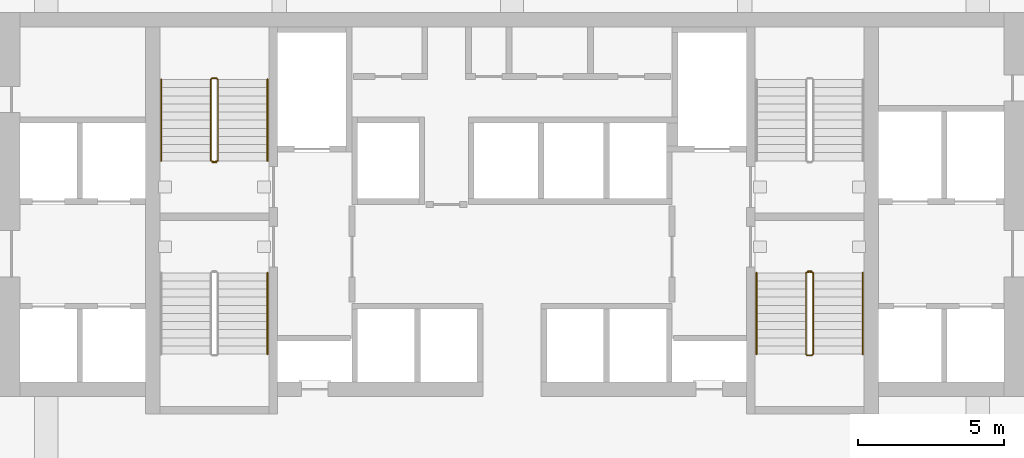
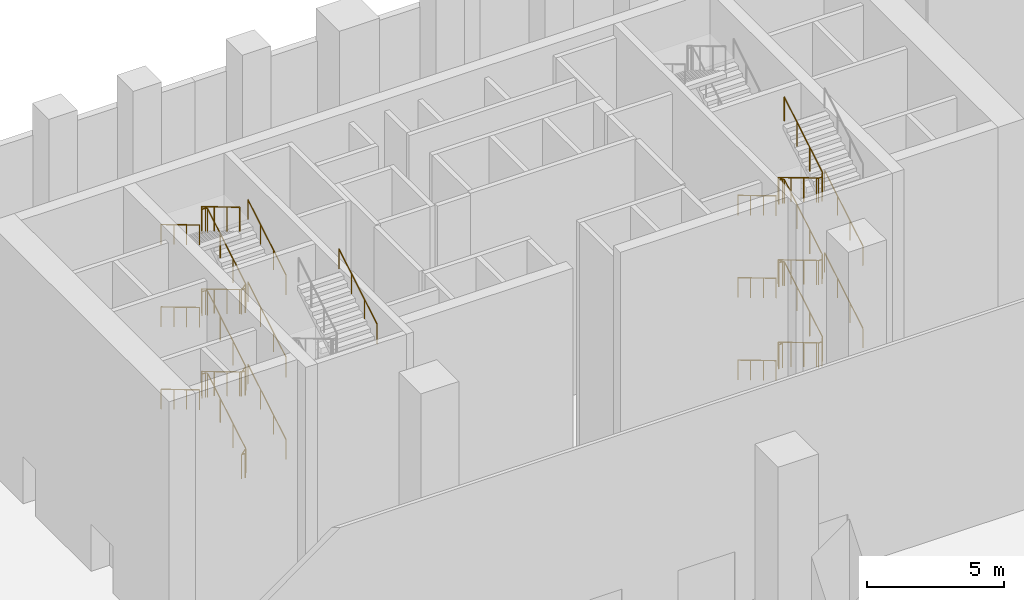
# One storey, part 25 of 31: 14 railings.
"""IFC4 building model written with IfcOpenShell, lengths in metres."""

from ifc_helpers import new_model, si_unit, direction, frame, origin, origin_2d, place, context, subcontext, project, spatial, circle, extrude, material, type_object, element, save


model = new_model("IFC4")

# Units and contexts
model_context = context("Model", 3, precision=1e-05, world=origin(), true_north=direction((0.0, 1.0)))
body_context = subcontext(model_context, "Body", "Model", "MODEL_VIEW")
ifc_project = project(units=[si_unit("LENGTHUNIT", "METRE"), si_unit("AREAUNIT", "SQUARE_METRE"), si_unit("VOLUMEUNIT", "CUBIC_METRE"), si_unit("PLANEANGLEUNIT", "RADIAN"), si_unit("MASSUNIT", "GRAM", prefix="KILO")], contexts=[model_context])

# Site, building, storey
site_placement = place(None, origin())
site = spatial("IfcSite", under=ifc_project, at=site_placement, CompositionType="ELEMENT")
building_placement = place(site_placement, origin())
building = spatial("IfcBuilding", under=site, at=building_placement, Name="Calabash Gate Tower", CompositionType="ELEMENT")
storey_placement = place(building_placement, frame((0.0, 0.0, 9.0)))
storey = spatial("IfcBuildingStorey", under=building, at=storey_placement, Name="L01", CompositionType="ELEMENT", Elevation=9.0)

# Railings
ifc_material_1 = material(Name="Black powder-coated steel balusters", Category="steel")
railing_type_1 = type_object("IfcRailingType", Name="Stair guard RL1100", PredefinedType="GUARDRAIL", material=ifc_material_1)
railing_1_placement = place(storey_placement, frame((-10.14990234375, 13.902587890625, 0.0)))
element("IfcRailing", 1, at=railing_1_placement, inside=storey, type_object=railing_type_1, Name="L01 ST1 stair guard 1", PredefinedType="GUARDRAIL", context=body_context, shape_type="SweptSolid", body=[
    extrude(circle(Radius=0.02392578125, at=origin_2d()), frame((0.0, 0.0, 1.076171875), z_axis=(-1.0, 0.0, 0.0), x_axis=(0.0, -1.0, 0.0)), (0.0, 0.0, 1.0), 0.150146484375),
    extrude(circle(Radius=0.02392578125, at=origin_2d()), frame((-0.150146484375, 0.0, 1.076171875), z_axis=(0.754182335027, 0.188775798145, 0.628945707965), x_axis=(-0.242814311512, 0.970072785993, 0.0)), (0.0, 0.0, 1.0), 0.26513671875),
    extrude(circle(Radius=0.02392578125, at=origin_2d()), frame((0.0498046875, 0.050048828125, 1.24267578125), z_axis=(0.0, 0.858512034531, 0.512793415095), x_axis=(-1.0, 0.0, 0.0)), (0.0, 0.0, 1.0), 3.249755859375),
    extrude(circle(Radius=0.02392578125, at=origin_2d()), frame((0.0498046875, 2.840087890625, 2.9091796875), z_axis=(-0.707106781187, 0.707106781187, 0.0), x_axis=(-0.707106781187, -0.707106781187, 0.0)), (0.0, 0.0, 1.0), 0.0703125),
    extrude(circle(Radius=0.02392578125, at=origin_2d()), frame((0.0, 2.889892578125, 2.9091796875), z_axis=(-1.0, 0.0, 0.0), x_axis=(0.0, -1.0, 0.0)), (0.0, 0.0, 1.0), 0.150146484375),
    extrude(circle(Radius=0.02392578125, at=origin_2d()), frame((-0.150146484375, 2.889892578125, 2.9091796875), z_axis=(-0.276389281352, -0.275041040955, 0.920848191041), x_axis=(0.705375805398, -0.708833529934, 0.0)), (0.0, 0.0, 1.0), 0.18115234375),
    extrude(circle(Radius=0.02392578125, at=origin_2d()), frame((-0.2001953125, 2.840087890625, 3.076171875), z_axis=(0.0, -0.858478961675, 0.512848781183), x_axis=(1.0, 0.0, 0.0)), (0.0, 0.0, 1.0), 3.25),
    extrude(circle(Radius=0.02392578125, at=origin_2d()), frame((-0.2001953125, 0.050048828125, 4.74267578125), z_axis=(0.970142500145, -0.242535625036, 0.0), x_axis=(0.242535625036, 0.970142500145, 0.0)), (0.0, 0.0, 1.0), 0.206298828125),
    extrude(circle(Radius=0.02392578125, at=origin_2d()), frame((0.0, 0.0, 4.74267578125), z_axis=(-1.0, 0.0, 0.0), x_axis=(0.0, -1.0, 0.0)), (0.0, 0.0, 1.0), 0.150146484375),
    extrude(circle(Radius=0.02392578125, at=origin_2d()), frame((-0.150146484375, 0.0, 4.74267578125), z_axis=(0.754619193878, 0.188885146209, 0.628388632753), x_axis=(-0.242814311512, 0.970072785993, 0.0)), (0.0, 0.0, 1.0), 0.264892578125),
    extrude(circle(Radius=0.02392578125, at=origin_2d()), frame((0.0498046875, 0.050048828125, 4.9091796875), z_axis=(0.0, 0.858478961675, 0.512848781183), x_axis=(-1.0, 0.0, 0.0)), (0.0, 0.0, 1.0), 3.25),
    extrude(circle(Radius=0.02392578125, at=origin_2d()), frame((0.0498046875, 2.840087890625, 6.576171875), z_axis=(-0.707106781187, 0.707106781187, 0.0), x_axis=(-0.707106781187, -0.707106781187, 0.0)), (0.0, 0.0, 1.0), 0.0703125),
    extrude(circle(Radius=0.02392578125, at=origin_2d()), frame((0.0, 2.889892578125, 6.576171875), z_axis=(-1.0, 0.0, 0.0), x_axis=(0.0, -1.0, 0.0)), (0.0, 0.0, 1.0), 0.150146484375),
    extrude(circle(Radius=0.02392578125, at=origin_2d()), frame((-0.150146484375, 2.889892578125, 6.576171875), z_axis=(-0.276389281352, -0.275041040955, 0.920848191041), x_axis=(0.705375805398, -0.708833529934, 0.0)), (0.0, 0.0, 1.0), 0.18115234375),
    extrude(circle(Radius=0.02392578125, at=origin_2d()), frame((-0.2001953125, 2.840087890625, 6.74267578125), z_axis=(0.0, -0.858512034531, 0.512793415095), x_axis=(1.0, 0.0, 0.0)), (0.0, 0.0, 1.0), 3.249755859375),
    extrude(circle(Radius=0.02392578125, at=origin_2d()), frame((-0.2001953125, 0.050048828125, 8.4091796875), z_axis=(0.970142500145, -0.242535625036, 0.0), x_axis=(0.242535625036, 0.970142500145, 0.0)), (0.0, 0.0, 1.0), 0.206298828125),
    extrude(circle(Radius=0.02392578125, at=origin_2d()), frame((0.0, 0.0, 8.4091796875), z_axis=(-1.0, 0.0, 0.0), x_axis=(0.0, -1.0, 0.0)), (0.0, 0.0, 1.0), 0.150146484375),
    extrude(circle(Radius=0.02392578125, at=origin_2d()), frame((-0.150146484375, 0.0, 8.4091796875), z_axis=(0.754182335027, 0.188775798145, 0.628945707965), x_axis=(-0.242814311512, 0.970072785993, 0.0)), (0.0, 0.0, 1.0), 0.26513671875),
    extrude(circle(Radius=0.02392578125, at=origin_2d()), frame((0.0498046875, 0.050048828125, 8.576171875), z_axis=(0.0, 0.858478961675, 0.512848781183), x_axis=(-1.0, 0.0, 0.0)), (0.0, 0.0, 1.0), 3.25),
    extrude(circle(Radius=0.02392578125, at=origin_2d()), frame((0.0498046875, 2.840087890625, 10.24267578125), z_axis=(-0.707106781187, 0.707106781187, 0.0), x_axis=(-0.707106781187, -0.707106781187, 0.0)), (0.0, 0.0, 1.0), 0.0703125),
    extrude(circle(Radius=0.02392578125, at=origin_2d()), frame((0.0, 2.889892578125, 10.24267578125), z_axis=(-1.0, 0.0, 0.0), x_axis=(0.0, -1.0, 0.0)), (0.0, 0.0, 1.0), 0.150146484375),
    extrude(circle(Radius=0.02392578125, at=origin_2d()), frame((-0.150146484375, 2.889892578125, 10.24267578125), z_axis=(-0.276732813696, -0.275382897532, 0.920642824102), x_axis=(0.705375805398, -0.708833529934, 0.0)), (0.0, 0.0, 1.0), 0.180908203125),
    extrude(circle(Radius=0.02392578125, at=origin_2d()), frame((-0.2001953125, 2.840087890625, 10.4091796875), z_axis=(0.0, -0.858478961675, 0.512848781183), x_axis=(1.0, 0.0, 0.0)), (0.0, 0.0, 1.0), 3.25),
    extrude(circle(Radius=0.02099609375, at=origin_2d()), origin(), (0.0, 0.0, 1.0), 1.052001953125),
    extrude(circle(Radius=0.02099609375, at=origin_2d()), frame((-0.150146484375, 0.0, 0.0)), (0.0, 0.0, 1.0), 1.052001953125),
    extrude(circle(Radius=0.02099609375, at=origin_2d()), frame((0.0498046875, 0.050048828125, 0.166748046875)), (0.0, 0.0, 1.0), 1.052001953125),
    extrude(circle(Radius=0.02099609375, at=origin_2d()), frame((0.0498046875, 0.97998046875, 0.72216796875)), (0.0, 0.0, 1.0), 1.052001953125),
    extrude(circle(Radius=0.02099609375, at=origin_2d()), frame((0.0498046875, 1.91015625, 1.27783203125)), (0.0, 0.0, 1.0), 1.052001953125),
    extrude(circle(Radius=0.02099609375, at=origin_2d()), frame((0.0498046875, 2.840087890625, 1.833251953125)), (0.0, 0.0, 1.0), 1.052001953125),
    extrude(circle(Radius=0.02099609375, at=origin_2d()), frame((0.0, 2.889892578125, 1.833251953125)), (0.0, 0.0, 1.0), 1.052001953125),
    extrude(circle(Radius=0.02099609375, at=origin_2d()), frame((-0.150146484375, 2.889892578125, 1.833251953125)), (0.0, 0.0, 1.0), 1.052001953125),
    extrude(circle(Radius=0.02099609375, at=origin_2d()), frame((-0.2001953125, 2.840087890625, 2.0)), (0.0, 0.0, 1.0), 1.052001953125),
    extrude(circle(Radius=0.02099609375, at=origin_2d()), frame((-0.2001953125, 1.91015625, 2.5556640625)), (0.0, 0.0, 1.0), 1.052001953125),
    extrude(circle(Radius=0.02099609375, at=origin_2d()), frame((-0.2001953125, 0.97998046875, 3.111083984375)), (0.0, 0.0, 1.0), 1.052001953125),
    extrude(circle(Radius=0.02099609375, at=origin_2d()), frame((-0.2001953125, 0.050048828125, 3.666748046875)), (0.0, 0.0, 1.0), 1.052001953125),
    extrude(circle(Radius=0.02099609375, at=origin_2d()), frame((0.0, 0.0, 3.666748046875)), (0.0, 0.0, 1.0), 1.052001953125),
    extrude(circle(Radius=0.02099609375, at=origin_2d()), frame((-0.150146484375, 0.0, 3.666748046875)), (0.0, 0.0, 1.0), 1.052001953125),
    extrude(circle(Radius=0.02099609375, at=origin_2d()), frame((0.0498046875, 0.050048828125, 3.833251953125)), (0.0, 0.0, 1.0), 1.052001953125),
    extrude(circle(Radius=0.02099609375, at=origin_2d()), frame((0.0498046875, 0.97998046875, 4.388916015625)), (0.0, 0.0, 1.0), 1.052001953125),
    extrude(circle(Radius=0.02099609375, at=origin_2d()), frame((0.0498046875, 1.91015625, 4.9443359375)), (0.0, 0.0, 1.0), 1.052001953125),
    extrude(circle(Radius=0.02099609375, at=origin_2d()), frame((0.0498046875, 2.840087890625, 5.5)), (0.0, 0.0, 1.0), 1.052001953125),
    extrude(circle(Radius=0.02099609375, at=origin_2d()), frame((0.0, 2.889892578125, 5.5)), (0.0, 0.0, 1.0), 1.052001953125),
    extrude(circle(Radius=0.02099609375, at=origin_2d()), frame((-0.150146484375, 2.889892578125, 5.5)), (0.0, 0.0, 1.0), 1.052001953125),
    extrude(circle(Radius=0.02099609375, at=origin_2d()), frame((-0.2001953125, 2.840087890625, 5.666748046875)), (0.0, 0.0, 1.0), 1.052001953125),
    extrude(circle(Radius=0.02099609375, at=origin_2d()), frame((-0.2001953125, 1.91015625, 6.22216796875)), (0.0, 0.0, 1.0), 1.052001953125),
    extrude(circle(Radius=0.02099609375, at=origin_2d()), frame((-0.2001953125, 0.97998046875, 6.77783203125)), (0.0, 0.0, 1.0), 1.052001953125),
    extrude(circle(Radius=0.02099609375, at=origin_2d()), frame((-0.2001953125, 0.050048828125, 7.333251953125)), (0.0, 0.0, 1.0), 1.052001953125),
    extrude(circle(Radius=0.02099609375, at=origin_2d()), frame((0.0, 0.0, 7.333251953125)), (0.0, 0.0, 1.0), 1.052001953125),
    extrude(circle(Radius=0.02099609375, at=origin_2d()), frame((-0.150146484375, 0.0, 7.333251953125)), (0.0, 0.0, 1.0), 1.052001953125),
    extrude(circle(Radius=0.02099609375, at=origin_2d()), frame((0.0498046875, 0.050048828125, 7.5)), (0.0, 0.0, 1.0), 1.052001953125),
    extrude(circle(Radius=0.02099609375, at=origin_2d()), frame((0.0498046875, 0.97998046875, 8.0556640625)), (0.0, 0.0, 1.0), 1.052001953125),
    extrude(circle(Radius=0.02099609375, at=origin_2d()), frame((0.0498046875, 1.91015625, 8.611083984375)), (0.0, 0.0, 1.0), 1.052001953125),
    extrude(circle(Radius=0.02099609375, at=origin_2d()), frame((0.0498046875, 2.840087890625, 9.166748046875)), (0.0, 0.0, 1.0), 1.052001953125),
    extrude(circle(Radius=0.02099609375, at=origin_2d()), frame((0.0, 2.889892578125, 9.166748046875)), (0.0, 0.0, 1.0), 1.052001953125),
    extrude(circle(Radius=0.02099609375, at=origin_2d()), frame((-0.150146484375, 2.889892578125, 9.166748046875)), (0.0, 0.0, 1.0), 1.052001953125),
    extrude(circle(Radius=0.02099609375, at=origin_2d()), frame((-0.2001953125, 2.840087890625, 9.333251953125)), (0.0, 0.0, 1.0), 1.052001953125),
    extrude(circle(Radius=0.02099609375, at=origin_2d()), frame((-0.2001953125, 1.91015625, 9.888916015625)), (0.0, 0.0, 1.0), 1.052001953125),
    extrude(circle(Radius=0.02099609375, at=origin_2d()), frame((-0.2001953125, 0.97998046875, 10.4443359375)), (0.0, 0.0, 1.0), 1.052001953125),
    extrude(circle(Radius=0.02099609375, at=origin_2d()), frame((-0.2001953125, 0.050048828125, 11.0)), (0.0, 0.0, 1.0), 1.052001953125),
])
railing_2_placement = place(storey_placement, frame((10.14990234375, 10.152587890625, 0.0)))
element("IfcRailing", 2, at=railing_2_placement, inside=storey, type_object=railing_type_1, Name="L01 ST4 stair guard 1", PredefinedType="GUARDRAIL", context=body_context, shape_type="SweptSolid", body=[
    extrude(circle(Radius=0.02392578125, at=origin_2d()), frame((0.0, 0.0, 1.076171875), z_axis=(1.0, 0.0, 0.0), x_axis=(0.0, 1.0, 0.0)), (0.0, 0.0, 1.0), 0.150146484375),
    extrude(circle(Radius=0.02392578125, at=origin_2d()), frame((0.150146484375, 0.0, 1.076171875), z_axis=(-0.754182335027, -0.188775798145, 0.628945707965), x_axis=(0.242814311512, -0.970072785993, 0.0)), (0.0, 0.0, 1.0), 0.26513671875),
    extrude(circle(Radius=0.02392578125, at=origin_2d()), frame((-0.0498046875, -0.050048828125, 1.24267578125), z_axis=(0.0, -0.858512034531, 0.512793415095), x_axis=(1.0, 0.0, 0.0)), (0.0, 0.0, 1.0), 3.249755859375),
    extrude(circle(Radius=0.02392578125, at=origin_2d()), frame((-0.0498046875, -2.840087890625, 2.9091796875), z_axis=(0.707106781187, -0.707106781187, 0.0), x_axis=(0.707106781187, 0.707106781187, 0.0)), (0.0, 0.0, 1.0), 0.0703125),
    extrude(circle(Radius=0.02392578125, at=origin_2d()), frame((0.0, -2.889892578125, 2.9091796875), z_axis=(1.0, 0.0, 0.0), x_axis=(0.0, 1.0, 0.0)), (0.0, 0.0, 1.0), 0.150146484375),
    extrude(circle(Radius=0.02392578125, at=origin_2d()), frame((0.150146484375, -2.889892578125, 2.9091796875), z_axis=(0.276389281352, 0.275041040955, 0.920848191041), x_axis=(-0.705375805398, 0.708833529934, 0.0)), (0.0, 0.0, 1.0), 0.18115234375),
    extrude(circle(Radius=0.02392578125, at=origin_2d()), frame((0.2001953125, -2.840087890625, 3.076171875), z_axis=(0.0, 0.858478961675, 0.512848781183), x_axis=(-1.0, 0.0, 0.0)), (0.0, 0.0, 1.0), 3.25),
    extrude(circle(Radius=0.02392578125, at=origin_2d()), frame((0.2001953125, -0.050048828125, 4.74267578125), z_axis=(-0.970142500145, 0.242535625036, 0.0), x_axis=(-0.242535625036, -0.970142500145, 0.0)), (0.0, 0.0, 1.0), 0.206298828125),
    extrude(circle(Radius=0.02392578125, at=origin_2d()), frame((0.0, 0.0, 4.74267578125), z_axis=(1.0, 0.0, 0.0), x_axis=(0.0, 1.0, 0.0)), (0.0, 0.0, 1.0), 0.150146484375),
    extrude(circle(Radius=0.02392578125, at=origin_2d()), frame((0.150146484375, 0.0, 4.74267578125), z_axis=(-0.754619193878, -0.188885146209, 0.628388632753), x_axis=(0.242814311512, -0.970072785993, 0.0)), (0.0, 0.0, 1.0), 0.264892578125),
    extrude(circle(Radius=0.02392578125, at=origin_2d()), frame((-0.0498046875, -0.050048828125, 4.9091796875), z_axis=(0.0, -0.858478961675, 0.512848781183), x_axis=(1.0, 0.0, 0.0)), (0.0, 0.0, 1.0), 3.25),
    extrude(circle(Radius=0.02392578125, at=origin_2d()), frame((-0.0498046875, -2.840087890625, 6.576171875), z_axis=(0.707106781187, -0.707106781187, 0.0), x_axis=(0.707106781187, 0.707106781187, 0.0)), (0.0, 0.0, 1.0), 0.0703125),
    extrude(circle(Radius=0.02392578125, at=origin_2d()), frame((0.0, -2.889892578125, 6.576171875), z_axis=(1.0, 0.0, 0.0), x_axis=(0.0, 1.0, 0.0)), (0.0, 0.0, 1.0), 0.150146484375),
    extrude(circle(Radius=0.02392578125, at=origin_2d()), frame((0.150146484375, -2.889892578125, 6.576171875), z_axis=(0.276389281352, 0.275041040955, 0.920848191041), x_axis=(-0.705375805398, 0.708833529934, 0.0)), (0.0, 0.0, 1.0), 0.18115234375),
    extrude(circle(Radius=0.02392578125, at=origin_2d()), frame((0.2001953125, -2.840087890625, 6.74267578125), z_axis=(0.0, 0.858512034531, 0.512793415095), x_axis=(-1.0, 0.0, 0.0)), (0.0, 0.0, 1.0), 3.249755859375),
    extrude(circle(Radius=0.02392578125, at=origin_2d()), frame((0.2001953125, -0.050048828125, 8.4091796875), z_axis=(-0.970142500145, 0.242535625036, 0.0), x_axis=(-0.242535625036, -0.970142500145, 0.0)), (0.0, 0.0, 1.0), 0.206298828125),
    extrude(circle(Radius=0.02392578125, at=origin_2d()), frame((0.0, 0.0, 8.4091796875), z_axis=(1.0, 0.0, 0.0), x_axis=(0.0, 1.0, 0.0)), (0.0, 0.0, 1.0), 0.150146484375),
    extrude(circle(Radius=0.02392578125, at=origin_2d()), frame((0.150146484375, 0.0, 8.4091796875), z_axis=(-0.754182335027, -0.188775798145, 0.628945707965), x_axis=(0.242814311512, -0.970072785993, 0.0)), (0.0, 0.0, 1.0), 0.26513671875),
    extrude(circle(Radius=0.02392578125, at=origin_2d()), frame((-0.0498046875, -0.050048828125, 8.576171875), z_axis=(0.0, -0.858478961675, 0.512848781183), x_axis=(1.0, 0.0, 0.0)), (0.0, 0.0, 1.0), 3.25),
    extrude(circle(Radius=0.02392578125, at=origin_2d()), frame((-0.0498046875, -2.840087890625, 10.24267578125), z_axis=(0.707106781187, -0.707106781187, 0.0), x_axis=(0.707106781187, 0.707106781187, 0.0)), (0.0, 0.0, 1.0), 0.0703125),
    extrude(circle(Radius=0.02392578125, at=origin_2d()), frame((0.0, -2.889892578125, 10.24267578125), z_axis=(1.0, 0.0, 0.0), x_axis=(0.0, 1.0, 0.0)), (0.0, 0.0, 1.0), 0.150146484375),
    extrude(circle(Radius=0.02392578125, at=origin_2d()), frame((0.150146484375, -2.889892578125, 10.24267578125), z_axis=(0.276732813696, 0.275382897532, 0.920642824102), x_axis=(-0.705375805398, 0.708833529934, 0.0)), (0.0, 0.0, 1.0), 0.180908203125),
    extrude(circle(Radius=0.02392578125, at=origin_2d()), frame((0.2001953125, -2.840087890625, 10.4091796875), z_axis=(0.0, 0.858478961675, 0.512848781183), x_axis=(-1.0, 0.0, 0.0)), (0.0, 0.0, 1.0), 3.25),
    extrude(circle(Radius=0.02099609375, at=origin_2d()), origin(), (0.0, 0.0, 1.0), 1.052001953125),
    extrude(circle(Radius=0.02099609375, at=origin_2d()), frame((0.150146484375, 0.0, 0.0)), (0.0, 0.0, 1.0), 1.052001953125),
    extrude(circle(Radius=0.02099609375, at=origin_2d()), frame((-0.0498046875, -0.050048828125, 0.166748046875)), (0.0, 0.0, 1.0), 1.052001953125),
    extrude(circle(Radius=0.02099609375, at=origin_2d()), frame((-0.0498046875, -0.97998046875, 0.72216796875)), (0.0, 0.0, 1.0), 1.052001953125),
    extrude(circle(Radius=0.02099609375, at=origin_2d()), frame((-0.0498046875, -1.91015625, 1.27783203125)), (0.0, 0.0, 1.0), 1.052001953125),
    extrude(circle(Radius=0.02099609375, at=origin_2d()), frame((-0.0498046875, -2.840087890625, 1.833251953125)), (0.0, 0.0, 1.0), 1.052001953125),
    extrude(circle(Radius=0.02099609375, at=origin_2d()), frame((0.0, -2.889892578125, 1.833251953125)), (0.0, 0.0, 1.0), 1.052001953125),
    extrude(circle(Radius=0.02099609375, at=origin_2d()), frame((0.150146484375, -2.889892578125, 1.833251953125)), (0.0, 0.0, 1.0), 1.052001953125),
    extrude(circle(Radius=0.02099609375, at=origin_2d()), frame((0.2001953125, -2.840087890625, 2.0)), (0.0, 0.0, 1.0), 1.052001953125),
    extrude(circle(Radius=0.02099609375, at=origin_2d()), frame((0.2001953125, -1.91015625, 2.5556640625)), (0.0, 0.0, 1.0), 1.052001953125),
    extrude(circle(Radius=0.02099609375, at=origin_2d()), frame((0.2001953125, -0.97998046875, 3.111083984375)), (0.0, 0.0, 1.0), 1.052001953125),
    extrude(circle(Radius=0.02099609375, at=origin_2d()), frame((0.2001953125, -0.050048828125, 3.666748046875)), (0.0, 0.0, 1.0), 1.052001953125),
    extrude(circle(Radius=0.02099609375, at=origin_2d()), frame((0.0, 0.0, 3.666748046875)), (0.0, 0.0, 1.0), 1.052001953125),
    extrude(circle(Radius=0.02099609375, at=origin_2d()), frame((0.150146484375, 0.0, 3.666748046875)), (0.0, 0.0, 1.0), 1.052001953125),
    extrude(circle(Radius=0.02099609375, at=origin_2d()), frame((-0.0498046875, -0.050048828125, 3.833251953125)), (0.0, 0.0, 1.0), 1.052001953125),
    extrude(circle(Radius=0.02099609375, at=origin_2d()), frame((-0.0498046875, -0.97998046875, 4.388916015625)), (0.0, 0.0, 1.0), 1.052001953125),
    extrude(circle(Radius=0.02099609375, at=origin_2d()), frame((-0.0498046875, -1.91015625, 4.9443359375)), (0.0, 0.0, 1.0), 1.052001953125),
    extrude(circle(Radius=0.02099609375, at=origin_2d()), frame((-0.0498046875, -2.840087890625, 5.5)), (0.0, 0.0, 1.0), 1.052001953125),
    extrude(circle(Radius=0.02099609375, at=origin_2d()), frame((0.0, -2.889892578125, 5.5)), (0.0, 0.0, 1.0), 1.052001953125),
    extrude(circle(Radius=0.02099609375, at=origin_2d()), frame((0.150146484375, -2.889892578125, 5.5)), (0.0, 0.0, 1.0), 1.052001953125),
    extrude(circle(Radius=0.02099609375, at=origin_2d()), frame((0.2001953125, -2.840087890625, 5.666748046875)), (0.0, 0.0, 1.0), 1.052001953125),
    extrude(circle(Radius=0.02099609375, at=origin_2d()), frame((0.2001953125, -1.91015625, 6.22216796875)), (0.0, 0.0, 1.0), 1.052001953125),
    extrude(circle(Radius=0.02099609375, at=origin_2d()), frame((0.2001953125, -0.97998046875, 6.77783203125)), (0.0, 0.0, 1.0), 1.052001953125),
    extrude(circle(Radius=0.02099609375, at=origin_2d()), frame((0.2001953125, -0.050048828125, 7.333251953125)), (0.0, 0.0, 1.0), 1.052001953125),
    extrude(circle(Radius=0.02099609375, at=origin_2d()), frame((0.0, 0.0, 7.333251953125)), (0.0, 0.0, 1.0), 1.052001953125),
    extrude(circle(Radius=0.02099609375, at=origin_2d()), frame((0.150146484375, 0.0, 7.333251953125)), (0.0, 0.0, 1.0), 1.052001953125),
    extrude(circle(Radius=0.02099609375, at=origin_2d()), frame((-0.0498046875, -0.050048828125, 7.5)), (0.0, 0.0, 1.0), 1.052001953125),
    extrude(circle(Radius=0.02099609375, at=origin_2d()), frame((-0.0498046875, -0.97998046875, 8.0556640625)), (0.0, 0.0, 1.0), 1.052001953125),
    extrude(circle(Radius=0.02099609375, at=origin_2d()), frame((-0.0498046875, -1.91015625, 8.611083984375)), (0.0, 0.0, 1.0), 1.052001953125),
    extrude(circle(Radius=0.02099609375, at=origin_2d()), frame((-0.0498046875, -2.840087890625, 9.166748046875)), (0.0, 0.0, 1.0), 1.052001953125),
    extrude(circle(Radius=0.02099609375, at=origin_2d()), frame((0.0, -2.889892578125, 9.166748046875)), (0.0, 0.0, 1.0), 1.052001953125),
    extrude(circle(Radius=0.02099609375, at=origin_2d()), frame((0.150146484375, -2.889892578125, 9.166748046875)), (0.0, 0.0, 1.0), 1.052001953125),
    extrude(circle(Radius=0.02099609375, at=origin_2d()), frame((0.2001953125, -2.840087890625, 9.333251953125)), (0.0, 0.0, 1.0), 1.052001953125),
    extrude(circle(Radius=0.02099609375, at=origin_2d()), frame((0.2001953125, -1.91015625, 9.888916015625)), (0.0, 0.0, 1.0), 1.052001953125),
    extrude(circle(Radius=0.02099609375, at=origin_2d()), frame((0.2001953125, -0.97998046875, 10.4443359375)), (0.0, 0.0, 1.0), 1.052001953125),
    extrude(circle(Radius=0.02099609375, at=origin_2d()), frame((0.2001953125, -0.050048828125, 11.0)), (0.0, 0.0, 1.0), 1.052001953125),
])
ifc_material_2 = material(Name="Black powder-coated steel tube 48 mm", Category="steel")
railing_type_2 = type_object("IfcRailingType", Name="Stair handrail RL900", PredefinedType="HANDRAIL", material=ifc_material_2)
railing_3_placement = place(storey_placement, frame((-8.39990234375, 13.95263671875, 0.166748046875)))
element("IfcRailing", 3, at=railing_3_placement, inside=storey, type_object=railing_type_2, Name="L01 ST1 stair handrail 1", PredefinedType="HANDRAIL", context=body_context, shape_type="SweptSolid", body=[
    extrude(circle(Radius=0.02392578125, at=origin_2d()), frame((0.0, 0.0, 0.8759765625), z_axis=(0.0, 0.858512034531, 0.512793415095), x_axis=(-1.0, 0.0, 0.0)), (0.0, 0.0, 1.0), 3.249755859375),
    extrude(circle(Radius=0.02099609375, at=origin_2d()), origin(), (0.0, 0.0, 1.0), 0.851806640625),
    extrude(circle(Radius=0.02099609375, at=origin_2d()), frame((0.0, 0.929931640625, 0.555419921875)), (0.0, 0.0, 1.0), 0.851806640625),
    extrude(circle(Radius=0.02099609375, at=origin_2d()), frame((0.0, 1.860107421875, 1.111083984375)), (0.0, 0.0, 1.0), 0.851806640625),
    extrude(circle(Radius=0.02099609375, at=origin_2d()), frame((0.0, 2.7900390625, 1.66650390625)), (0.0, 0.0, 1.0), 0.851806640625),
])
railing_4_placement = place(storey_placement, frame((-12.050048828125, 16.74267578125, 2.0)))
element("IfcRailing", 4, at=railing_4_placement, inside=storey, type_object=railing_type_2, Name="L01 ST1 stair handrail 2", PredefinedType="HANDRAIL", context=body_context, shape_type="SweptSolid", body=[
    extrude(circle(Radius=0.02392578125, at=origin_2d()), frame((0.0, 0.0, 0.8759765625), z_axis=(0.0, -0.858478961675, 0.512848781183), x_axis=(1.0, 0.0, 0.0)), (0.0, 0.0, 1.0), 3.25),
    extrude(circle(Radius=0.02099609375, at=origin_2d()), origin(), (0.0, 0.0, 1.0), 0.851806640625),
    extrude(circle(Radius=0.02099609375, at=origin_2d()), frame((0.0, -0.929931640625, 0.5556640625)), (0.0, 0.0, 1.0), 0.851806640625),
    extrude(circle(Radius=0.02099609375, at=origin_2d()), frame((0.0, -1.860107421875, 1.111083984375)), (0.0, 0.0, 1.0), 0.851806640625),
    extrude(circle(Radius=0.02099609375, at=origin_2d()), frame((0.0, -2.7900390625, 1.666748046875)), (0.0, 0.0, 1.0), 0.851806640625),
])
railing_5_placement = place(storey_placement, frame((-8.39990234375, 13.95263671875, 3.833251953125)))
element("IfcRailing", 5, at=railing_5_placement, inside=storey, type_object=railing_type_2, Name="L01 ST1 stair handrail 3", PredefinedType="HANDRAIL", context=body_context, shape_type="SweptSolid", body=[
    extrude(circle(Radius=0.02392578125, at=origin_2d()), frame((0.0, 0.0, 0.8759765625), z_axis=(0.0, 0.858478961675, 0.512848781183), x_axis=(-1.0, 0.0, 0.0)), (0.0, 0.0, 1.0), 3.25),
    extrude(circle(Radius=0.02099609375, at=origin_2d()), origin(), (0.0, 0.0, 1.0), 0.851806640625),
    extrude(circle(Radius=0.02099609375, at=origin_2d()), frame((0.0, 0.929931640625, 0.5556640625)), (0.0, 0.0, 1.0), 0.851806640625),
    extrude(circle(Radius=0.02099609375, at=origin_2d()), frame((0.0, 1.860107421875, 1.111083984375)), (0.0, 0.0, 1.0), 0.851806640625),
    extrude(circle(Radius=0.02099609375, at=origin_2d()), frame((0.0, 2.7900390625, 1.666748046875)), (0.0, 0.0, 1.0), 0.851806640625),
])
railing_6_placement = place(storey_placement, frame((-12.050048828125, 16.74267578125, 5.666748046875)))
element("IfcRailing", 6, at=railing_6_placement, inside=storey, type_object=railing_type_2, Name="L01 ST1 stair handrail 4", PredefinedType="HANDRAIL", context=body_context, shape_type="SweptSolid", body=[
    extrude(circle(Radius=0.02392578125, at=origin_2d()), frame((0.0, 0.0, 0.8759765625), z_axis=(0.0, -0.858512034531, 0.512793415095), x_axis=(1.0, 0.0, 0.0)), (0.0, 0.0, 1.0), 3.249755859375),
    extrude(circle(Radius=0.02099609375, at=origin_2d()), origin(), (0.0, 0.0, 1.0), 0.851806640625),
    extrude(circle(Radius=0.02099609375, at=origin_2d()), frame((0.0, -0.929931640625, 0.555419921875)), (0.0, 0.0, 1.0), 0.851806640625),
    extrude(circle(Radius=0.02099609375, at=origin_2d()), frame((0.0, -1.860107421875, 1.111083984375)), (0.0, 0.0, 1.0), 0.851806640625),
    extrude(circle(Radius=0.02099609375, at=origin_2d()), frame((0.0, -2.7900390625, 1.66650390625)), (0.0, 0.0, 1.0), 0.851806640625),
])
railing_7_placement = place(storey_placement, frame((-8.39990234375, 13.95263671875, 7.5)))
element("IfcRailing", 7, at=railing_7_placement, inside=storey, type_object=railing_type_2, Name="L01 ST1 stair handrail 5", PredefinedType="HANDRAIL", context=body_context, shape_type="SweptSolid", body=[
    extrude(circle(Radius=0.02392578125, at=origin_2d()), frame((0.0, 0.0, 0.8759765625), z_axis=(0.0, 0.858478961675, 0.512848781183), x_axis=(-1.0, 0.0, 0.0)), (0.0, 0.0, 1.0), 3.25),
    extrude(circle(Radius=0.02099609375, at=origin_2d()), origin(), (0.0, 0.0, 1.0), 0.851806640625),
    extrude(circle(Radius=0.02099609375, at=origin_2d()), frame((0.0, 0.929931640625, 0.5556640625)), (0.0, 0.0, 1.0), 0.851806640625),
    extrude(circle(Radius=0.02099609375, at=origin_2d()), frame((0.0, 1.860107421875, 1.111083984375)), (0.0, 0.0, 1.0), 0.851806640625),
    extrude(circle(Radius=0.02099609375, at=origin_2d()), frame((0.0, 2.7900390625, 1.666748046875)), (0.0, 0.0, 1.0), 0.851806640625),
])
railing_8_placement = place(storey_placement, frame((-12.050048828125, 16.74267578125, 9.333251953125)))
element("IfcRailing", 8, at=railing_8_placement, inside=storey, type_object=railing_type_2, Name="L01 ST1 stair handrail 6", PredefinedType="HANDRAIL", context=body_context, shape_type="SweptSolid", body=[
    extrude(circle(Radius=0.02392578125, at=origin_2d()), frame((0.0, 0.0, 0.8759765625), z_axis=(0.0, -0.858478961675, 0.512848781183), x_axis=(1.0, 0.0, 0.0)), (0.0, 0.0, 1.0), 3.25),
    extrude(circle(Radius=0.02099609375, at=origin_2d()), origin(), (0.0, 0.0, 1.0), 0.851806640625),
    extrude(circle(Radius=0.02099609375, at=origin_2d()), frame((0.0, -0.929931640625, 0.5556640625)), (0.0, 0.0, 1.0), 0.851806640625),
    extrude(circle(Radius=0.02099609375, at=origin_2d()), frame((0.0, -1.860107421875, 1.111083984375)), (0.0, 0.0, 1.0), 0.851806640625),
    extrude(circle(Radius=0.02099609375, at=origin_2d()), frame((0.0, -2.7900390625, 1.666748046875)), (0.0, 0.0, 1.0), 0.851806640625),
])
railing_9_placement = place(storey_placement, frame((-8.39990234375, 7.3125, 9.333251953125)))
element("IfcRailing", 9, at=railing_9_placement, inside=storey, type_object=railing_type_2, Name="L01 ST2 stair handrail 6", PredefinedType="HANDRAIL", context=body_context, shape_type="SweptSolid", body=[
    extrude(circle(Radius=0.02392578125, at=origin_2d()), frame((0.0, 0.0, 0.8759765625), z_axis=(0.0, 0.858478961675, 0.512848781183), x_axis=(-1.0, 0.0, 0.0)), (0.0, 0.0, 1.0), 3.25),
    extrude(circle(Radius=0.02099609375, at=origin_2d()), origin(), (0.0, 0.0, 1.0), 0.851806640625),
    extrude(circle(Radius=0.02099609375, at=origin_2d()), frame((0.0, 0.929931640625, 0.5556640625)), (0.0, 0.0, 1.0), 0.851806640625),
    extrude(circle(Radius=0.02099609375, at=origin_2d()), frame((0.0, 1.860107421875, 1.111083984375)), (0.0, 0.0, 1.0), 0.851806640625),
    extrude(circle(Radius=0.02099609375, at=origin_2d()), frame((0.0, 2.7900390625, 1.666748046875)), (0.0, 0.0, 1.0), 0.851806640625),
])
railing_10_placement = place(storey_placement, frame((8.39990234375, 10.1025390625, 0.166748046875)))
element("IfcRailing", 10, at=railing_10_placement, inside=storey, type_object=railing_type_2, Name="L01 ST4 stair handrail 1", PredefinedType="HANDRAIL", context=body_context, shape_type="SweptSolid", body=[
    extrude(circle(Radius=0.02392578125, at=origin_2d()), frame((0.0, 0.0, 0.8759765625), z_axis=(0.0, -0.858512034531, 0.512793415095), x_axis=(1.0, 0.0, 0.0)), (0.0, 0.0, 1.0), 3.249755859375),
    extrude(circle(Radius=0.02099609375, at=origin_2d()), origin(), (0.0, 0.0, 1.0), 0.851806640625),
    extrude(circle(Radius=0.02099609375, at=origin_2d()), frame((0.0, -0.929931640625, 0.555419921875)), (0.0, 0.0, 1.0), 0.851806640625),
    extrude(circle(Radius=0.02099609375, at=origin_2d()), frame((0.0, -1.860107421875, 1.111083984375)), (0.0, 0.0, 1.0), 0.851806640625),
    extrude(circle(Radius=0.02099609375, at=origin_2d()), frame((0.0, -2.7900390625, 1.66650390625)), (0.0, 0.0, 1.0), 0.851806640625),
])
railing_11_placement = place(storey_placement, frame((12.050048828125, 7.3125, 2.0)))
element("IfcRailing", 11, at=railing_11_placement, inside=storey, type_object=railing_type_2, Name="L01 ST4 stair handrail 2", PredefinedType="HANDRAIL", context=body_context, shape_type="SweptSolid", body=[
    extrude(circle(Radius=0.02392578125, at=origin_2d()), frame((0.0, 0.0, 0.8759765625), z_axis=(0.0, 0.858478961675, 0.512848781183), x_axis=(-1.0, 0.0, 0.0)), (0.0, 0.0, 1.0), 3.25),
    extrude(circle(Radius=0.02099609375, at=origin_2d()), origin(), (0.0, 0.0, 1.0), 0.851806640625),
    extrude(circle(Radius=0.02099609375, at=origin_2d()), frame((0.0, 0.929931640625, 0.5556640625)), (0.0, 0.0, 1.0), 0.851806640625),
    extrude(circle(Radius=0.02099609375, at=origin_2d()), frame((0.0, 1.860107421875, 1.111083984375)), (0.0, 0.0, 1.0), 0.851806640625),
    extrude(circle(Radius=0.02099609375, at=origin_2d()), frame((0.0, 2.7900390625, 1.666748046875)), (0.0, 0.0, 1.0), 0.851806640625),
])
railing_12_placement = place(storey_placement, frame((8.39990234375, 10.1025390625, 3.833251953125)))
element("IfcRailing", 12, at=railing_12_placement, inside=storey, type_object=railing_type_2, Name="L01 ST4 stair handrail 3", PredefinedType="HANDRAIL", context=body_context, shape_type="SweptSolid", body=[
    extrude(circle(Radius=0.02392578125, at=origin_2d()), frame((0.0, 0.0, 0.8759765625), z_axis=(0.0, -0.858478961675, 0.512848781183), x_axis=(1.0, 0.0, 0.0)), (0.0, 0.0, 1.0), 3.25),
    extrude(circle(Radius=0.02099609375, at=origin_2d()), origin(), (0.0, 0.0, 1.0), 0.851806640625),
    extrude(circle(Radius=0.02099609375, at=origin_2d()), frame((0.0, -0.929931640625, 0.5556640625)), (0.0, 0.0, 1.0), 0.851806640625),
    extrude(circle(Radius=0.02099609375, at=origin_2d()), frame((0.0, -1.860107421875, 1.111083984375)), (0.0, 0.0, 1.0), 0.851806640625),
    extrude(circle(Radius=0.02099609375, at=origin_2d()), frame((0.0, -2.7900390625, 1.666748046875)), (0.0, 0.0, 1.0), 0.851806640625),
])
railing_13_placement = place(storey_placement, frame((12.050048828125, 7.3125, 5.666748046875)))
element("IfcRailing", 13, at=railing_13_placement, inside=storey, type_object=railing_type_2, Name="L01 ST4 stair handrail 4", PredefinedType="HANDRAIL", context=body_context, shape_type="SweptSolid", body=[
    extrude(circle(Radius=0.02392578125, at=origin_2d()), frame((0.0, 0.0, 0.8759765625), z_axis=(0.0, 0.858512034531, 0.512793415095), x_axis=(-1.0, 0.0, 0.0)), (0.0, 0.0, 1.0), 3.249755859375),
    extrude(circle(Radius=0.02099609375, at=origin_2d()), origin(), (0.0, 0.0, 1.0), 0.851806640625),
    extrude(circle(Radius=0.02099609375, at=origin_2d()), frame((0.0, 0.929931640625, 0.555419921875)), (0.0, 0.0, 1.0), 0.851806640625),
    extrude(circle(Radius=0.02099609375, at=origin_2d()), frame((0.0, 1.860107421875, 1.111083984375)), (0.0, 0.0, 1.0), 0.851806640625),
    extrude(circle(Radius=0.02099609375, at=origin_2d()), frame((0.0, 2.7900390625, 1.66650390625)), (0.0, 0.0, 1.0), 0.851806640625),
])
railing_14_placement = place(storey_placement, frame((8.39990234375, 10.1025390625, 7.5)))
element("IfcRailing", 14, at=railing_14_placement, inside=storey, type_object=railing_type_2, Name="L01 ST4 stair handrail 5", PredefinedType="HANDRAIL", context=body_context, shape_type="SweptSolid", body=[
    extrude(circle(Radius=0.02392578125, at=origin_2d()), frame((0.0, 0.0, 0.8759765625), z_axis=(0.0, -0.858478961675, 0.512848781183), x_axis=(1.0, 0.0, 0.0)), (0.0, 0.0, 1.0), 3.25),
    extrude(circle(Radius=0.02099609375, at=origin_2d()), origin(), (0.0, 0.0, 1.0), 0.851806640625),
    extrude(circle(Radius=0.02099609375, at=origin_2d()), frame((0.0, -0.929931640625, 0.5556640625)), (0.0, 0.0, 1.0), 0.851806640625),
    extrude(circle(Radius=0.02099609375, at=origin_2d()), frame((0.0, -1.860107421875, 1.111083984375)), (0.0, 0.0, 1.0), 0.851806640625),
    extrude(circle(Radius=0.02099609375, at=origin_2d()), frame((0.0, -2.7900390625, 1.666748046875)), (0.0, 0.0, 1.0), 0.851806640625),
])

save(model, "model.ifc")
